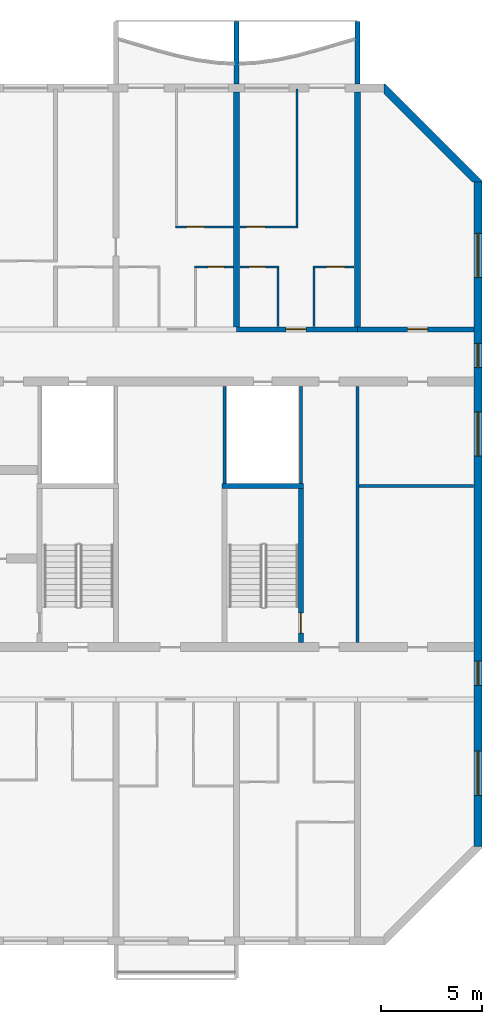
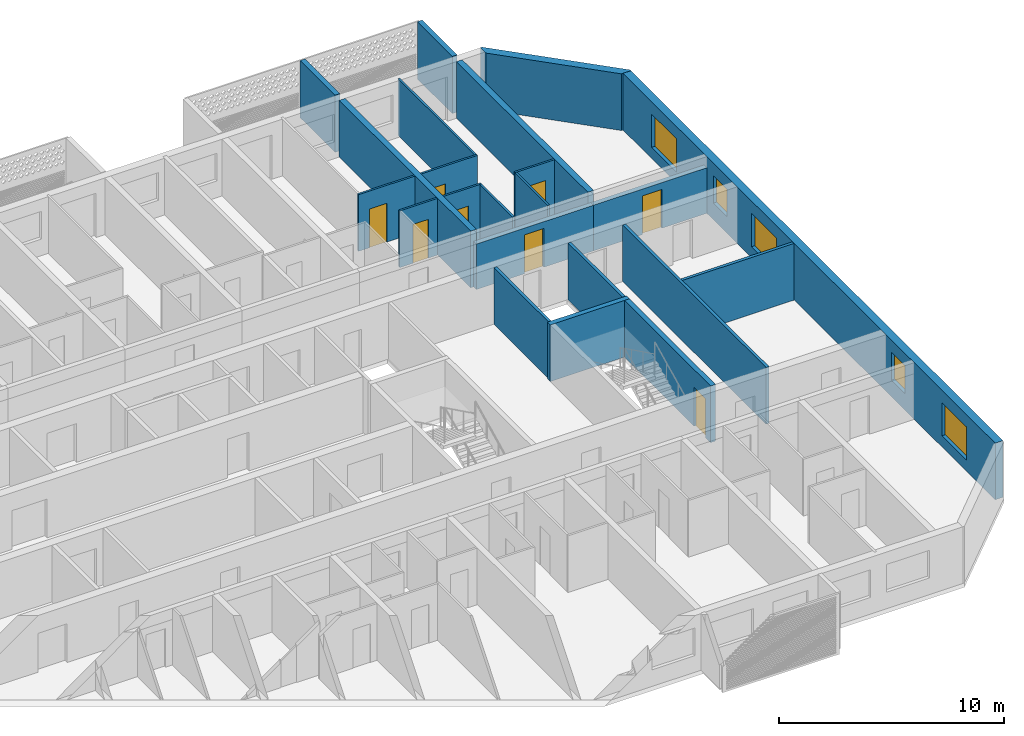
# One storey, part 12 of 32: 22 walls, 8 doors, 5 windows, 13 openings.
"""IFC4 building model written with IfcOpenShell, lengths in metres."""

from ifc_helpers import new_model, si_unit, direction, frame, frame_2d, origin, place, context, subcontext, project, spatial, polyline, rectangle, outline, extrude, source, transform, mapped, material, layer, layer_set, type_object, element, fill, save


model = new_model("IFC4")

# Units and contexts
model_context = context("Model", 3, precision=1e-05, world=origin(), true_north=direction((0.0, 1.0)))
body_context = subcontext(model_context, "Body", "Model", "MODEL_VIEW")
ifc_project = project(units=[si_unit("LENGTHUNIT", "METRE"), si_unit("AREAUNIT", "SQUARE_METRE"), si_unit("VOLUMEUNIT", "CUBIC_METRE"), si_unit("PLANEANGLEUNIT", "RADIAN"), si_unit("MASSUNIT", "GRAM", prefix="KILO")], contexts=[model_context])

# Site, building, storey
site_placement = place(None, origin())
site = spatial("IfcSite", under=ifc_project, at=site_placement, CompositionType="ELEMENT")
building_placement = place(site_placement, origin())
building = spatial("IfcBuilding", under=site, at=building_placement, Name="Poui Terraces", CompositionType="ELEMENT")
storey_placement = place(building_placement, frame((0.0, 0.0, 152.10009765625)))
storey = spatial("IfcBuildingStorey", under=building, at=storey_placement, Name="L42", CompositionType="ELEMENT", Elevation=152.10009765625)

# Wall
ifc_material_1 = material(Name="Fire-rated plasterboard wall")
ifc_layer_1 = layer(ifc_material_1, 0.14990234375)
ifc_layer_set_1 = layer_set([ifc_layer_1], Name="Fire-rated plasterboard wall")
wall_type_1 = type_object("IfcWallType", Name="CORRIDOR WALL 150", PredefinedType="PARTITIONING", material=ifc_layer_set_1)
wall_1_placement = place(storey_placement, frame((84.0, 14.8349609375, 0.0), z_axis=(0.0, 0.0, 1.0), x_axis=(0.0, 1.0, 0.0)))
element("IfcWall", 1, at=wall_1_placement, inside=storey, type_object=wall_type_1, Name="CORRIDOR WALL 150", PredefinedType="PARTITIONING", context=body_context, shape_type="SweptSolid", body=[
    extrude(rectangle(XDim=12.72998046875, YDim=0.14990234375, at=frame_2d((6.364990234375, 0.0))), origin(), (0.0, 0.0, 1.0), 3.06982421875),
])

# Wall, opening, door
ifc_material_2 = material(Name="Concrete 65 MPa", Category="concrete")
ifc_layer_2 = layer(ifc_material_2, 0.25)
ifc_layer_set_2 = layer_set([ifc_layer_2], Name="Concrete 65 MPa")
wall_type_2 = type_object("IfcWallType", Name="CORRIDOR WALL 250 65MPa", PredefinedType="SHEAR", material=ifc_layer_set_2)
wall_2_placement = place(storey_placement, frame((78.0, 30.39990234375, 0.0), z_axis=(0.0, 0.0, 1.0), x_axis=(1.0, 0.0, 0.0)))
wall_2 = element("IfcWall", 2, at=wall_2_placement, inside=storey, type_object=wall_type_2, Name="CORRIDOR WALL LINE E BAY 12", PredefinedType="SHEAR", context=body_context, shape_type="SweptSolid", body=[
    extrude(rectangle(XDim=6.0, YDim=0.25, at=frame_2d((3.0, 0.0))), origin(), (0.0, 0.0, 1.0), 2.469970703125),
])
opening_1_placement = place(wall_2_placement, frame((2.449951171875, 0.0, 0.0)))
opening_1 = element("IfcOpeningElement", 3, at=opening_1_placement, cuts=wall_2, Name="Opening FD30S", PredefinedType="OPENING", context=body_context, shape_type="SweptSolid", body=[
    extrude(rectangle(XDim=1.0, YDim=2.10009765625, at=frame_2d((0.5, 1.050048828125))), frame((0.0, 0.135009765625, 0.0), z_axis=(0.0, -1.0, 0.0), x_axis=(1.0, 0.0, 0.0)), (0.0, 0.0, 1.0), 0.27001953125),
])
ifc_material_3 = material(Name="Steel fire door", Category="steel")
door_type_1 = type_object("IfcDoorType", Name="FLAT ENTRANCE DOOR 1000 X 2100", OperationType="NOTDEFINED", PredefinedType="DOOR", material=ifc_material_3)
door_1_placement = place(opening_1_placement, origin())
door_1 = element("IfcDoor", 4, at=door_1_placement, inside=storey, type_object=door_type_1, Name="FLAT ENTRANCE DOOR 071", OperationType="SINGLE_SWING_LEFT", OverallHeight=2.10009765625, OverallWidth=1.0, PredefinedType="DOOR", context=body_context, shape_type="SweptSolid", body=[
    extrude(rectangle(XDim=1.0, YDim=2.10009765625, at=frame_2d((0.5, 1.050048828125))), frame((0.0, 0.02490234375, 0.0), z_axis=(0.0, -1.0, 0.0), x_axis=(1.0, 0.0, 0.0)), (0.0, 0.0, 1.0), 0.050048828125),
])
fill(opening_1, door_1)

wall_3_placement = place(storey_placement, frame((84.0, 30.39990234375, 0.0), z_axis=(0.0, 0.0, 1.0), x_axis=(1.0, 0.0, 0.0)))
wall_3 = element("IfcWall", 5, at=wall_3_placement, inside=storey, type_object=wall_type_2, Name="CORRIDOR WALL LINE E BAY 13", PredefinedType="SHEAR", context=body_context, shape_type="SweptSolid", body=[
    extrude(rectangle(XDim=5.800048828125, YDim=0.25, at=frame_2d((2.89990234375, 0.0))), origin(), (0.0, 0.0, 1.0), 2.469970703125),
])
opening_2_placement = place(wall_3_placement, frame((2.5, 0.0, 0.0)))
opening_2 = element("IfcOpeningElement", 6, at=opening_2_placement, cuts=wall_3, Name="Opening D100", PredefinedType="OPENING", context=body_context, shape_type="SweptSolid", body=[
    extrude(rectangle(XDim=1.0, YDim=2.10009765625, at=frame_2d((0.5, 1.050048828125))), frame((0.0, 0.135009765625, 0.0), z_axis=(0.0, -1.0, 0.0), x_axis=(1.0, 0.0, 0.0)), (0.0, 0.0, 1.0), 0.27001953125),
])
ifc_material_4 = material(Name="Solid core timber door", Category="wood")
door_type_2 = type_object("IfcDoorType", Name="ACCESSIBLE INTERNAL DOOR 1000 X 2100", OperationType="NOTDEFINED", PredefinedType="DOOR", material=ifc_material_4)
door_2_placement = place(opening_2_placement, origin())
door_2 = element("IfcDoor", 7, at=door_2_placement, inside=storey, type_object=door_type_2, Name="ACCESSIBLE INTERNAL DOOR 073", OperationType="SINGLE_SWING_LEFT", OverallHeight=2.10009765625, OverallWidth=1.0, PredefinedType="DOOR", context=body_context, shape_type="SweptSolid", body=[
    extrude(rectangle(XDim=1.0, YDim=2.10009765625, at=frame_2d((0.5, 1.050048828125))), frame((0.0, 0.02490234375, 0.0), z_axis=(0.0, -1.0, 0.0), x_axis=(1.0, 0.0, 0.0)), (0.0, 0.0, 1.0), 0.050048828125),
])
fill(opening_2, door_2)

# Walls
ifc_layer_3 = layer(ifc_material_2, 0.300048828125)
ifc_layer_set_3 = layer_set([ifc_layer_3], Name="Concrete 65 MPa")
wall_type_3 = type_object("IfcWallType", Name="CROSS WALL 300 65MPa", PredefinedType="SHEAR", material=ifc_layer_set_3)
for number, where, z_axis, x_axis, name in (
    (8, (78.0, 30.52490234375, 0.0), (0.0, 0.0, 1.0), (0.0, 1.0, 0.0), "CROSS WALL LINE 14 NORTH"),
    (9, (84.0, 30.52490234375, 0.0), (0.0, 0.0, 1.0), (0.0, 1.0, 0.0), "CROSS WALL LINE 15 NORTH"),
):
    element("IfcWall", number, at=place(storey_placement, frame(where, z_axis=z_axis, x_axis=x_axis)), inside=storey, type_object=wall_type_3, Name=name, PredefinedType="SHEAR", context=body_context, shape_type="SweptSolid", body=[
        extrude(rectangle(XDim=11.675048828125, YDim=0.300048828125, at=frame_2d((5.83740234375, 0.0))), origin(), (0.0, 0.0, 1.0), 3.06982421875),
    ])

# Wall, openings, windows
ifc_layer_4 = layer(ifc_material_2, 0.39990234375)
ifc_layer_set_4 = layer_set([ifc_layer_4], Name="Concrete 65 MPa")
wall_type_4 = type_object("IfcWallType", Name="END WALL 400 65MPa", PredefinedType="SHEAR", material=ifc_layer_set_4)
wall_4_placement = place(storey_placement, frame((90.0, 4.682861328125, 0.0), z_axis=(0.0, 0.0, 1.0), x_axis=(0.0, 1.0, 0.0)))
wall_4 = element("IfcWall", 10, at=wall_4_placement, inside=storey, type_object=wall_type_4, Name="END WALL EAST", PredefinedType="SHEAR", context=body_context, shape_type="SweptSolid", body=[
    extrude(rectangle(XDim=33.034423828125, YDim=0.39990234375, at=frame_2d((16.51708984375, 0.0))), origin(), (0.0, 0.0, 1.0), 3.06982421875),
])
opening_3_placement = place(wall_4_placement, frame((23.817138671875, 0.0, 0.89990234375)))
opening_3 = element("IfcOpeningElement", 11, at=opening_3_placement, cuts=wall_4, Name="Opening W2", PredefinedType="OPENING", context=body_context, shape_type="SweptSolid", body=[
    extrude(rectangle(XDim=1.199951171875, YDim=1.5, at=frame_2d((0.60009765625, 0.75))), frame((0.0, 0.2099609375, 0.0), z_axis=(0.0, -1.0, 0.0), x_axis=(1.0, 0.0, 0.0)), (0.0, 0.0, 1.0), 0.419921875),
])
opening_4_placement = place(wall_4_placement, frame((8.01708984375, 0.0, 0.89990234375)))
opening_4 = element("IfcOpeningElement", 12, at=opening_4_placement, cuts=wall_4, Name="Opening W2", PredefinedType="OPENING", context=body_context, shape_type="SweptSolid", body=[
    extrude(rectangle(XDim=1.199951171875, YDim=1.5, at=frame_2d((0.60009765625, 0.75))), frame((0.0, 0.2099609375, 0.0), z_axis=(0.0, -1.0, 0.0), x_axis=(1.0, 0.0, 0.0)), (0.0, 0.0, 1.0), 0.419921875),
])
opening_5_placement = place(wall_4_placement, frame((28.29345703125, 0.0, 0.60009765625)))
opening_5 = element("IfcOpeningElement", 13, at=opening_5_placement, cuts=wall_4, Name="Opening W3", PredefinedType="OPENING", context=body_context, shape_type="SweptSolid", body=[
    extrude(rectangle(XDim=2.199951171875, YDim=1.800048828125, at=frame_2d((1.10009765625, 0.89990234375))), frame((0.0, 0.2099609375, 0.0), z_axis=(0.0, -1.0, 0.0), x_axis=(1.0, 0.0, 0.0)), (0.0, 0.0, 1.0), 0.419921875),
])
opening_6_placement = place(wall_4_placement, frame((2.541015625, 0.0, 0.60009765625)))
opening_6 = element("IfcOpeningElement", 14, at=opening_6_placement, cuts=wall_4, Name="Opening W3", PredefinedType="OPENING", context=body_context, shape_type="SweptSolid", body=[
    extrude(rectangle(XDim=2.199951171875, YDim=1.800048828125, at=frame_2d((1.10009765625, 0.89990234375))), frame((0.0, 0.2099609375, 0.0), z_axis=(0.0, -1.0, 0.0), x_axis=(1.0, 0.0, 0.0)), (0.0, 0.0, 1.0), 0.419921875),
])
opening_7_placement = place(wall_4_placement, frame((19.417236328125, 0.0, 0.60009765625)))
opening_7 = element("IfcOpeningElement", 15, at=opening_7_placement, cuts=wall_4, Name="Opening W3", PredefinedType="OPENING", context=body_context, shape_type="SweptSolid", body=[
    extrude(rectangle(XDim=2.199951171875, YDim=1.800048828125, at=frame_2d((1.10009765625, 0.89990234375))), frame((0.0, 0.2099609375, 0.0), z_axis=(0.0, -1.0, 0.0), x_axis=(1.0, 0.0, 0.0)), (0.0, 0.0, 1.0), 0.419921875),
])
ifc_material_5 = material(Name="Clear glass in aluminium frame", Category="aluminium")
window_type_1 = type_object("IfcWindowType", Name="WINDOW 1200X1500", PartitioningType="SINGLE_PANEL", PredefinedType="WINDOW", material=ifc_material_5)
window_1_placement = place(opening_3_placement, origin())
window_1 = element("IfcWindow", 16, at=window_1_placement, inside=storey, type_object=window_type_1, Name="W2 WINDOW", OverallHeight=1.5, OverallWidth=1.199951171875, PartitioningType="SINGLE_PANEL", PredefinedType="WINDOW", context=body_context, shape_type="SweptSolid", body=[
    extrude(rectangle(XDim=1.199951171875, YDim=1.5, at=frame_2d((0.60009765625, 0.75))), frame((0.0, 0.030029296875, 0.0), z_axis=(0.0, -1.0, 0.0), x_axis=(1.0, 0.0, 0.0)), (0.0, 0.0, 1.0), 0.06005859375),
])
fill(opening_3, window_1)
window_2_placement = place(opening_4_placement, origin())
window_2 = element("IfcWindow", 17, at=window_2_placement, inside=storey, type_object=window_type_1, Name="W2 WINDOW", OverallHeight=1.5, OverallWidth=1.199951171875, PartitioningType="SINGLE_PANEL", PredefinedType="WINDOW", context=body_context, shape_type="SweptSolid", body=[
    extrude(rectangle(XDim=1.199951171875, YDim=1.5, at=frame_2d((0.60009765625, 0.75))), frame((0.0, 0.030029296875, 0.0), z_axis=(0.0, -1.0, 0.0), x_axis=(1.0, 0.0, 0.0)), (0.0, 0.0, 1.0), 0.06005859375),
])
fill(opening_4, window_2)
window_type_2 = type_object("IfcWindowType", Name="WINDOW 2200X1800", PartitioningType="DOUBLE_PANEL_HORIZONTAL", PredefinedType="WINDOW", material=ifc_material_5)
window_3_placement = place(opening_5_placement, origin())
window_3 = element("IfcWindow", 18, at=window_3_placement, inside=storey, type_object=window_type_2, Name="W3 WINDOW", OverallHeight=1.800048828125, OverallWidth=2.199951171875, PartitioningType="DOUBLE_PANEL_HORIZONTAL", PredefinedType="WINDOW", context=body_context, shape_type="SweptSolid", body=[
    extrude(rectangle(XDim=2.199951171875, YDim=1.800048828125, at=frame_2d((1.10009765625, 0.89990234375))), frame((0.0, 0.030029296875, 0.0), z_axis=(0.0, -1.0, 0.0), x_axis=(1.0, 0.0, 0.0)), (0.0, 0.0, 1.0), 0.06005859375),
])
fill(opening_5, window_3)
window_4_placement = place(opening_6_placement, origin())
window_4 = element("IfcWindow", 19, at=window_4_placement, inside=storey, type_object=window_type_2, Name="W3 WINDOW", OverallHeight=1.800048828125, OverallWidth=2.199951171875, PartitioningType="DOUBLE_PANEL_HORIZONTAL", PredefinedType="WINDOW", context=body_context, shape_type="SweptSolid", body=[
    extrude(rectangle(XDim=2.199951171875, YDim=1.800048828125, at=frame_2d((1.10009765625, 0.89990234375))), frame((0.0, 0.030029296875, 0.0), z_axis=(0.0, -1.0, 0.0), x_axis=(1.0, 0.0, 0.0)), (0.0, 0.0, 1.0), 0.06005859375),
])
fill(opening_6, window_4)
window_5_placement = place(opening_7_placement, origin())
window_5 = element("IfcWindow", 20, at=window_5_placement, inside=storey, type_object=window_type_2, Name="W3 WINDOW", OverallHeight=1.800048828125, OverallWidth=2.199951171875, PartitioningType="DOUBLE_PANEL_HORIZONTAL", PredefinedType="WINDOW", context=body_context, shape_type="SweptSolid", body=[
    extrude(rectangle(XDim=2.199951171875, YDim=1.800048828125, at=frame_2d((1.10009765625, 0.89990234375))), frame((0.0, 0.030029296875, 0.0), z_axis=(0.0, -1.0, 0.0), x_axis=(1.0, 0.0, 0.0)), (0.0, 0.0, 1.0), 0.06005859375),
])
fill(opening_7, window_5)

# Wall, opening, door
ifc_material_6 = material(Name="Plasterboard partition")
ifc_layer_5 = layer(ifc_material_6, 0.10009765625)
ifc_layer_set_5 = layer_set([ifc_layer_5], Name="Plasterboard partition")
wall_type_5 = type_object("IfcWallType", Name="FLAT PARTITION 100", PredefinedType="PARTITIONING", material=ifc_layer_set_5)
wall_5_placement = place(storey_placement, frame((75.89990234375, 33.5, 0.0), z_axis=(0.0, 0.0, 1.0), x_axis=(1.0, 0.0, 0.0)))
wall_5 = element("IfcWall", 21, at=wall_5_placement, inside=storey, type_object=wall_type_5, Name="FLAT PARTITION 100", PredefinedType="PARTITIONING", context=body_context, shape_type="SweptSolid", body=[
    extrude(rectangle(XDim=1.940185546875, YDim=0.10009765625, at=frame_2d((0.97021484375, 0.0))), origin(), (0.0, 0.0, 1.0), 3.06982421875),
])
opening_8_placement = place(wall_5_placement, frame((0.675048828125, 0.0, 0.0)))
opening_8 = element("IfcOpeningElement", 22, at=opening_8_placement, cuts=wall_5, Name="Opening D80", PredefinedType="OPENING", context=body_context, shape_type="SweptSolid", body=[
    extrude(rectangle(XDim=0.800048828125, YDim=2.10009765625, at=frame_2d((0.39990234375, 1.050048828125))), frame((0.0, 0.06005859375, 0.0), z_axis=(0.0, -1.0, 0.0), x_axis=(1.0, 0.0, 0.0)), (0.0, 0.0, 1.0), 0.1201171875),
])
door_type_3 = type_object("IfcDoorType", Name="BATHROOM, LAUNDRY AND STORE DOOR 800 X 2100", OperationType="NOTDEFINED", PredefinedType="DOOR", material=ifc_material_4)
door_3_placement = place(opening_8_placement, frame((0.800048828125, 0.0, 0.0), z_axis=(0.0, 0.0, 1.0), x_axis=(-1.0, 0.0, 0.0)))
door_3 = element("IfcDoor", 23, at=door_3_placement, inside=storey, type_object=door_type_3, Name="BATHROOM, LAUNDRY AND STORE DOOR 068", OperationType="SINGLE_SWING_RIGHT", OverallHeight=2.10009765625, OverallWidth=0.800048828125, PredefinedType="DOOR", context=body_context, shape_type="SweptSolid", body=[
    extrude(rectangle(XDim=0.800048828125, YDim=2.10009765625, at=frame_2d((0.39990234375, 1.050048828125))), frame((0.0, 0.02490234375, 0.0), z_axis=(0.0, -1.0, 0.0), x_axis=(1.0, 0.0, 0.0)), (0.0, 0.0, 1.0), 0.050048828125),
])
fill(opening_8, door_3)

wall_6_placement = place(storey_placement, frame((78.159912109375, 33.5, 0.0), z_axis=(0.0, 0.0, 1.0), x_axis=(1.0, 0.0, 0.0)))
wall_6 = element("IfcWall", 24, at=wall_6_placement, inside=storey, type_object=wall_type_5, Name="FLAT PARTITION 100", PredefinedType="PARTITIONING", context=body_context, shape_type="SweptSolid", body=[
    extrude(rectangle(XDim=1.940185546875, YDim=0.10009765625, at=frame_2d((0.97021484375, 0.0))), origin(), (0.0, 0.0, 1.0), 3.06982421875),
])
opening_9_placement = place(wall_6_placement, frame((0.465087890625, 0.0, 0.0)))
opening_9 = element("IfcOpeningElement", 25, at=opening_9_placement, cuts=wall_6, Name="Opening D80", PredefinedType="OPENING", context=body_context, shape_type="SweptSolid", body=[
    extrude(rectangle(XDim=0.800048828125, YDim=2.10009765625, at=frame_2d((0.39990234375, 1.050048828125))), frame((0.0, 0.06005859375, 0.0), z_axis=(0.0, -1.0, 0.0), x_axis=(1.0, 0.0, 0.0)), (0.0, 0.0, 1.0), 0.1201171875),
])
door_4_placement = place(opening_9_placement, frame((0.800048828125, 0.0, 0.0), z_axis=(0.0, 0.0, 1.0), x_axis=(-1.0, 0.0, 0.0)))
door_4 = element("IfcDoor", 26, at=door_4_placement, inside=storey, type_object=door_type_3, Name="BATHROOM, LAUNDRY AND STORE DOOR 070", OperationType="SINGLE_SWING_RIGHT", OverallHeight=2.10009765625, OverallWidth=0.800048828125, PredefinedType="DOOR", context=body_context, shape_type="SweptSolid", body=[
    extrude(rectangle(XDim=0.800048828125, YDim=2.10009765625, at=frame_2d((0.39990234375, 1.050048828125))), frame((0.0, 0.02490234375, 0.0), z_axis=(0.0, -1.0, 0.0), x_axis=(1.0, 0.0, 0.0)), (0.0, 0.0, 1.0), 0.050048828125),
])
fill(opening_9, door_4)

wall_7_placement = place(storey_placement, frame((81.800048828125, 33.5, 0.0), z_axis=(0.0, 0.0, 1.0), x_axis=(1.0, 0.0, 0.0)))
wall_7 = element("IfcWall", 27, at=wall_7_placement, inside=storey, type_object=wall_type_5, Name="FLAT PARTITION 100", PredefinedType="PARTITIONING", context=body_context, shape_type="SweptSolid", body=[
    extrude(rectangle(XDim=2.0400390625, YDim=0.10009765625, at=frame_2d((1.02001953125, 0.0))), origin(), (0.0, 0.0, 1.0), 3.06982421875),
])
opening_10_placement = place(wall_7_placement, frame((0.675048828125, 0.0, 0.0)))
opening_10 = element("IfcOpeningElement", 28, at=opening_10_placement, cuts=wall_7, Name="Opening D90", PredefinedType="OPENING", context=body_context, shape_type="SweptSolid", body=[
    extrude(rectangle(XDim=0.89990234375, YDim=2.10009765625, at=frame_2d((0.449951171875, 1.050048828125))), frame((0.0, 0.06005859375, 0.0), z_axis=(0.0, -1.0, 0.0), x_axis=(1.0, 0.0, 0.0)), (0.0, 0.0, 1.0), 0.1201171875),
])
door_type_4 = type_object("IfcDoorType", Name="INTERNAL DOOR 900 X 2100", OperationType="NOTDEFINED", PredefinedType="DOOR", material=ifc_material_4)
door_5_placement = place(opening_10_placement, frame((0.89990234375, 0.0, 0.0), z_axis=(0.0, 0.0, 1.0), x_axis=(-1.0, 0.0, 0.0)))
door_5 = element("IfcDoor", 29, at=door_5_placement, inside=storey, type_object=door_type_4, Name="INTERNAL DOOR 072", OperationType="SINGLE_SWING_LEFT", OverallHeight=2.10009765625, OverallWidth=0.89990234375, PredefinedType="DOOR", context=body_context, shape_type="SweptSolid", body=[
    extrude(rectangle(XDim=0.89990234375, YDim=2.10009765625, at=frame_2d((0.449951171875, 1.050048828125))), frame((0.0, 0.02490234375, 0.0), z_axis=(0.0, -1.0, 0.0), x_axis=(1.0, 0.0, 0.0)), (0.0, 0.0, 1.0), 0.050048828125),
])
fill(opening_10, door_5)

wall_8_placement = place(storey_placement, frame((74.949951171875, 35.5, 0.0), z_axis=(0.0, 0.0, 1.0), x_axis=(1.0, 0.0, 0.0)))
wall_8 = element("IfcWall", 30, at=wall_8_placement, inside=storey, type_object=wall_type_5, Name="FLAT PARTITION 100", PredefinedType="PARTITIONING", context=body_context, shape_type="SweptSolid", body=[
    extrude(rectangle(XDim=2.89013671875, YDim=0.10009765625, at=frame_2d((1.445068359375, 0.0))), origin(), (0.0, 0.0, 1.0), 3.06982421875),
])
opening_11_placement = place(wall_8_placement, frame((0.550048828125, 0.0, 0.0)))
opening_11 = element("IfcOpeningElement", 31, at=opening_11_placement, cuts=wall_8, Name="Opening D90", PredefinedType="OPENING", context=body_context, shape_type="SweptSolid", body=[
    extrude(rectangle(XDim=0.89990234375, YDim=2.10009765625, at=frame_2d((0.449951171875, 1.050048828125))), frame((0.0, 0.06005859375, 0.0), z_axis=(0.0, -1.0, 0.0), x_axis=(1.0, 0.0, 0.0)), (0.0, 0.0, 1.0), 0.1201171875),
])
door_6_placement = place(opening_11_placement, frame((0.89990234375, 0.0, 0.0), z_axis=(0.0, 0.0, 1.0), x_axis=(-1.0, 0.0, 0.0)))
door_6 = element("IfcDoor", 32, at=door_6_placement, inside=storey, type_object=door_type_4, Name="INTERNAL DOOR 067", OperationType="SINGLE_SWING_LEFT", OverallHeight=2.10009765625, OverallWidth=0.89990234375, PredefinedType="DOOR", context=body_context, shape_type="SweptSolid", body=[
    extrude(rectangle(XDim=0.89990234375, YDim=2.10009765625, at=frame_2d((0.449951171875, 1.050048828125))), frame((0.0, 0.02490234375, 0.0), z_axis=(0.0, -1.0, 0.0), x_axis=(1.0, 0.0, 0.0)), (0.0, 0.0, 1.0), 0.050048828125),
])
fill(opening_11, door_6)

wall_9_placement = place(storey_placement, frame((78.159912109375, 35.5, 0.0), z_axis=(0.0, 0.0, 1.0), x_axis=(1.0, 0.0, 0.0)))
wall_9 = element("IfcWall", 33, at=wall_9_placement, inside=storey, type_object=wall_type_5, Name="FLAT PARTITION 100", PredefinedType="PARTITIONING", context=body_context, shape_type="SweptSolid", body=[
    extrude(rectangle(XDim=2.89013671875, YDim=0.10009765625, at=frame_2d((1.445068359375, 0.0))), origin(), (0.0, 0.0, 1.0), 3.06982421875),
])
opening_12_placement = place(wall_9_placement, frame((0.340087890625, 0.0, 0.0)))
opening_12 = element("IfcOpeningElement", 34, at=opening_12_placement, cuts=wall_9, Name="Opening D90", PredefinedType="OPENING", context=body_context, shape_type="SweptSolid", body=[
    extrude(rectangle(XDim=0.89990234375, YDim=2.10009765625, at=frame_2d((0.449951171875, 1.050048828125))), frame((0.0, 0.06005859375, 0.0), z_axis=(0.0, -1.0, 0.0), x_axis=(1.0, 0.0, 0.0)), (0.0, 0.0, 1.0), 0.1201171875),
])
door_7_placement = place(opening_12_placement, frame((0.89990234375, 0.0, 0.0), z_axis=(0.0, 0.0, 1.0), x_axis=(-1.0, 0.0, 0.0)))
door_7 = element("IfcDoor", 35, at=door_7_placement, inside=storey, type_object=door_type_4, Name="INTERNAL DOOR 069", OperationType="SINGLE_SWING_LEFT", OverallHeight=2.10009765625, OverallWidth=0.89990234375, PredefinedType="DOOR", context=body_context, shape_type="SweptSolid", body=[
    extrude(rectangle(XDim=0.89990234375, YDim=2.10009765625, at=frame_2d((0.449951171875, 1.050048828125))), frame((0.0, 0.02490234375, 0.0), z_axis=(0.0, -1.0, 0.0), x_axis=(1.0, 0.0, 0.0)), (0.0, 0.0, 1.0), 0.050048828125),
])
fill(opening_12, door_7)

# Walls
wall_10_placement = place(storey_placement, frame((80.050048828125, 30.534912109375, 0.0), z_axis=(0.0, 0.0, 1.0), x_axis=(0.0, 1.0, 0.0)))
element("IfcWall", 36, at=wall_10_placement, inside=storey, type_object=wall_type_5, Name="FLAT PARTITION 100", PredefinedType="PARTITIONING", context=body_context, shape_type="SweptSolid", body=[
    extrude(rectangle(XDim=2.9150390625, YDim=0.10009765625, at=frame_2d((1.45751953125, 0.0))), origin(), (0.0, 0.0, 1.0), 3.06982421875),
])
wall_11_placement = place(storey_placement, frame((81.0, 35.550048828125, 0.0), z_axis=(0.0, 0.0, 1.0), x_axis=(0.0, 1.0, 0.0)))
element("IfcWall", 37, at=wall_11_placement, inside=storey, type_object=wall_type_5, Name="FLAT PARTITION 100", PredefinedType="PARTITIONING", context=body_context, shape_type="SweptSolid", body=[
    extrude(rectangle(XDim=6.7900390625, YDim=0.10009765625, at=frame_2d((3.39501953125, 0.0))), origin(), (0.0, 0.0, 1.0), 3.06982421875),
])
wall_12_placement = place(storey_placement, frame((81.85009765625, 30.534912109375, 0.0), z_axis=(0.0, 0.0, 1.0), x_axis=(0.0, 1.0, 0.0)))
element("IfcWall", 38, at=wall_12_placement, inside=storey, type_object=wall_type_5, Name="FLAT PARTITION 100", PredefinedType="PARTITIONING", context=body_context, shape_type="SweptSolid", body=[
    extrude(rectangle(XDim=2.9150390625, YDim=0.10009765625, at=frame_2d((1.45751953125, 0.0))), origin(), (0.0, 0.0, 1.0), 3.06982421875),
])
ifc_layer_6 = layer(ifc_material_6, 0.14990234375)
ifc_layer_set_6 = layer_set([ifc_layer_6], Name="Plasterboard partition")
wall_type_6 = type_object("IfcWallType", Name="PARTITION WALL 150", PredefinedType="PARTITIONING", material=ifc_layer_set_6)
wall_13_placement = place(storey_placement, frame((84.074951171875, 22.60009765625, 0.0), z_axis=(0.0, 0.0, 1.0), x_axis=(1.0, 0.0, 0.0)))
element("IfcWall", 39, at=wall_13_placement, inside=storey, type_object=wall_type_6, Name="PARTITION WALL 150", PredefinedType="PARTITIONING", context=body_context, shape_type="SweptSolid", body=[
    extrude(rectangle(XDim=5.715087890625, YDim=0.14990234375, at=frame_2d((2.857421875, 0.0))), origin(), (0.0, 0.0, 1.0), 3.06982421875),
])
ifc_material_7 = material(Name="Fire-rated plasterboard riser wall")
ifc_layer_7 = layer(ifc_material_7, 0.14990234375)
ifc_layer_set_7 = layer_set([ifc_layer_7], Name="Fire-rated plasterboard riser wall")
wall_type_7 = type_object("IfcWallType", Name="RISER WALL 150", PredefinedType="PARTITIONING", material=ifc_layer_set_7)
for number, where, z_axis, x_axis, name in (
    (40, (77.39990234375, 22.735107421875, 0.0), (0.0, 0.0, 1.0), (0.0, 1.0, 0.0), "RISER WALL 150"),
    (41, (81.199951171875, 22.735107421875, 0.0), (0.0, 0.0, 1.0), (0.0, 1.0, 0.0), "RISER WALL 150"),
):
    element("IfcWall", number, at=place(storey_placement, frame(where, z_axis=z_axis, x_axis=x_axis)), inside=storey, type_object=wall_type_7, Name=name, PredefinedType="PARTITIONING", context=body_context, shape_type="SweptSolid", body=[
        extrude(rectangle(XDim=4.829833984375, YDim=0.14990234375, at=frame_2d((2.4150390625, 0.0))), origin(), (0.0, 0.0, 1.0), 3.06982421875),
    ])

# Wall, opening, door
ifc_layer_8 = layer(ifc_material_2, 0.25)
ifc_layer_set_8 = layer_set([ifc_layer_8], Name="Concrete 65 MPa")
wall_type_8 = type_object("IfcWallType", Name="STAIR CORE WALL 250 65 MPA", PredefinedType="SOLIDWALL", material=ifc_layer_set_8)
wall_14_placement = place(storey_placement, frame((81.199951171875, 14.824951171875, 0.0), z_axis=(0.0, 0.0, 1.0), x_axis=(0.0, 1.0, 0.0)))
wall_14 = element("IfcWall", 42, at=wall_14_placement, inside=storey, type_object=wall_type_8, Name="STAIR CORE WALL", PredefinedType="SOLIDWALL", context=body_context, shape_type="SweptSolid", body=[
    extrude(rectangle(XDim=7.650146484375, YDim=0.25, at=frame_2d((3.8251953125, 0.0))), origin(), (0.0, 0.0, 1.0), 3.06982421875),
])
opening_13_placement = place(wall_14_placement, frame((0.47509765625, 0.0, 0.0)))
opening_13 = element("IfcOpeningElement", 43, at=opening_13_placement, cuts=wall_14, Name="Opening FD60S", PredefinedType="OPENING", context=body_context, shape_type="SweptSolid", body=[
    extrude(rectangle(XDim=1.0, YDim=2.10009765625, at=frame_2d((0.5, 1.050048828125))), frame((0.0, 0.135009765625, 0.0), z_axis=(0.0, -1.0, 0.0), x_axis=(1.0, 0.0, 0.0)), (0.0, 0.0, 1.0), 0.27001953125),
])
door_type_5 = type_object("IfcDoorType", Name="STAIR DOOR 1000 X 2100", OperationType="NOTDEFINED", PredefinedType="DOOR", material=ifc_material_3)
door_8_placement = place(opening_13_placement, origin())
door_8 = element("IfcDoor", 44, at=door_8_placement, inside=storey, type_object=door_type_5, Name="STAIR DOOR 134", OperationType="SINGLE_SWING_LEFT", OverallHeight=2.10009765625, OverallWidth=1.0, PredefinedType="DOOR", context=body_context, shape_type="SweptSolid", body=[
    extrude(rectangle(XDim=1.0, YDim=2.10009765625, at=frame_2d((0.5, 1.050048828125))), frame((0.0, 0.02490234375, 0.0), z_axis=(0.0, -1.0, 0.0), x_axis=(1.0, 0.0, 0.0)), (0.0, 0.0, 1.0), 0.050048828125),
])
fill(opening_13, door_8)

# Walls
wall_15_placement = place(storey_placement, frame((77.27490234375, 22.60009765625, 0.0), z_axis=(0.0, 0.0, 1.0), x_axis=(1.0, 0.0, 0.0)))
element("IfcWall", 45, at=wall_15_placement, inside=storey, type_object=wall_type_8, Name="STAIR CORE WALL", PredefinedType="SOLIDWALL", context=body_context, shape_type="SweptSolid", body=[
    extrude(rectangle(XDim=4.050048828125, YDim=0.25, at=frame_2d((2.02490234375, 0.0))), origin(), (0.0, 0.0, 1.0), 3.06982421875),
])
ifc_material_8 = material(Name="Precast concrete 40 MPa", Category="concrete")
ifc_layer_9 = layer(ifc_material_8, 0.39990234375)
ifc_layer_set_9 = layer_set([ifc_layer_9], Name="Precast concrete 40 MPa")
wall_type_9 = type_object("IfcWallType", Name="TERRACOTTA CLAD CHAMFER WALL 400", PredefinedType="STANDARD", material=ifc_layer_set_9)
wall_16_placement = place(storey_placement, origin())
element("IfcWall", 46, at=wall_16_placement, inside=storey, type_object=wall_type_9, Name="CHAMFER WALL CH03", PredefinedType="STANDARD", context=body_context, shape_type="SweptSolid", body=[
    extrude(outline(polyline([(90.199951171875, 37.71728515625), (90.199951171875, 37.800048828125), (85.39990234375, 42.60009765625), (85.317138671875, 42.60009765625), (85.317138671875, 42.1171875), (89.71728515625, 37.71728515625), (90.199951171875, 37.71728515625)])), origin(), (0.0, 0.0, 1.0), 3.06982421875),
])
ifc_layer_10 = layer(ifc_material_8, 0.25)
ifc_layer_set_10 = layer_set([ifc_layer_10], Name="Precast concrete 40 MPa")
wall_type_10 = type_object("IfcWallType", Name="BALCONY FIN 250", PredefinedType="STANDARD", material=ifc_layer_set_10)
shared_shape = source(origin(), body_context, "Body", "SweptSolid", [
    extrude(outline(polyline([(0.0, 0.0), (0.25, 0.0), (0.25, 3.099853515625), (0.0, 3.099853515625), (0.0, 0.0)])), origin(), (0.0, 0.0, 1.0), 3.099853515625),
])
for number, where, name in (
    (47, (77.875, 42.60009765625, 0.0), "BALCONY FIN"),
    (48, (83.875, 42.60009765625, 0.0), "BALCONY FIN"),
):
    element("IfcWall", number, at=place(storey_placement, frame(where)), inside=storey, type_object=wall_type_10, Name=name, PredefinedType="STANDARD", context=body_context, shape_type="MappedRepresentation", body=[
        mapped(shared_shape, transform((0.0, 0.0, 0.0))),
    ])

save(model, "model.ifc")
